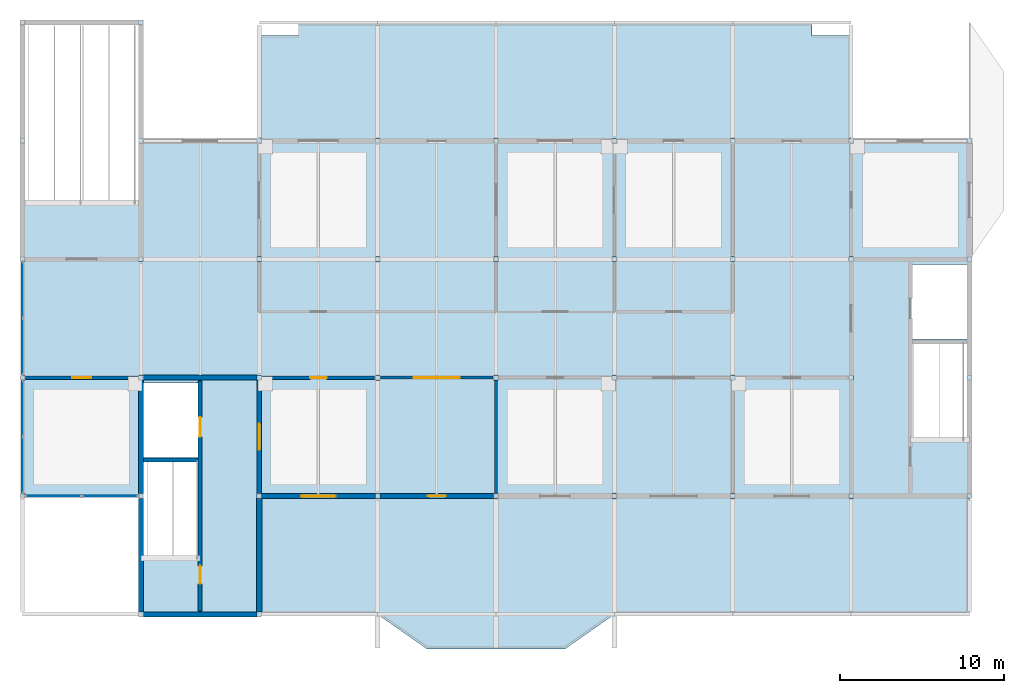
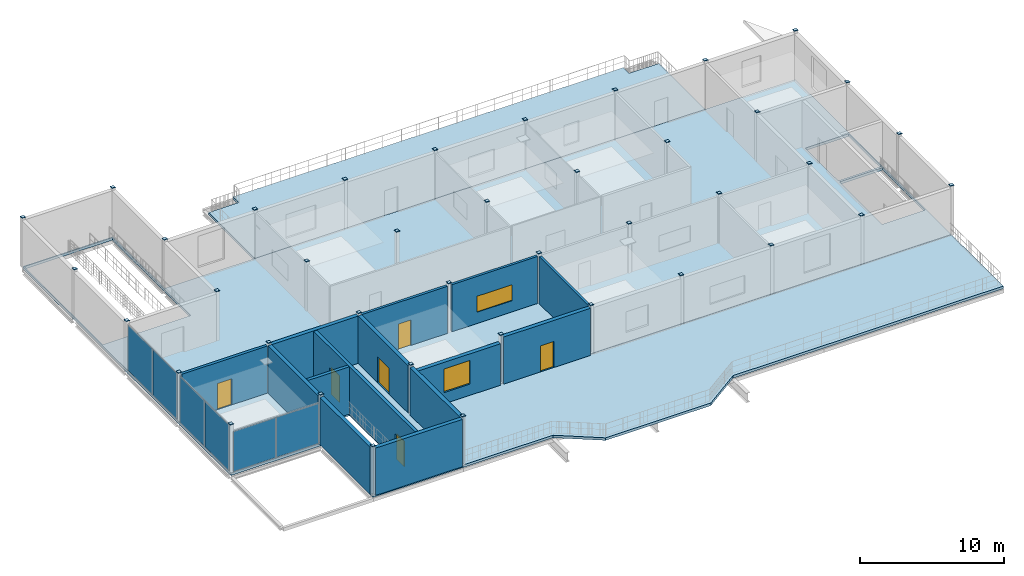
# One storey, part 11 of 18: 46 plates, 14 walls, 6 doors, 3 slabs, 2 windows, 8 openings, 3 elements without a shape of their own.
"""IFC4 building model written with IfcOpenShell, lengths in metres."""

from ifc_helpers import new_model, si_unit, direction, frame, frame_2d, origin, origin_2d, place, context, subcontext, project, spatial, polyline, rectangle, outline, extrude, material, layer, layer_set, type_object, element, fill, aggregate, save


model = new_model("IFC4")

# Units and contexts
model_context = context("Model", 3, precision=1e-05, world=origin(), true_north=direction((0.0, 1.0)))
body_context = subcontext(model_context, "Body", "Model", "MODEL_VIEW")
ifc_project = project(units=[si_unit("LENGTHUNIT", "METRE"), si_unit("AREAUNIT", "SQUARE_METRE"), si_unit("VOLUMEUNIT", "CUBIC_METRE"), si_unit("PLANEANGLEUNIT", "RADIAN"), si_unit("MASSUNIT", "GRAM", prefix="KILO")], contexts=[model_context])

# Site, building, storey
site_placement = place(None, origin())
site = spatial("IfcSite", under=ifc_project, at=site_placement, CompositionType="ELEMENT")
building_placement = place(site_placement, origin())
building = spatial("IfcBuilding", under=site, at=building_placement, Name="Vesperath Aquatics Centre", CompositionType="ELEMENT")
storey_placement = place(building_placement, frame((0.0, 0.0, 23.39990234375)))
storey = spatial("IfcBuildingStorey", under=building, at=storey_placement, Name="L05", CompositionType="ELEMENT", Elevation=23.39990234375)

# Curtain wall, plates
ifc_material_1 = material(Name="Thermally broken anodised bronze aluminium curtain wall", Category="aluminium")
curtain_wall_type = type_object("IfcCurtainWallType", Name="CW-07", PredefinedType="NOTDEFINED", material=ifc_material_1)
curtain_wall_1_placement = place(storey_placement, origin())
curtain_wall_1 = element("IfcCurtainWall", 1, at=curtain_wall_1_placement, inside=storey, type_object=curtain_wall_type, Name="Facade Curtain Wall CW07 L05_S_16_01", PredefinedType="NOTDEFINED")
ifc_material_2 = material(Name="Triple low-E argon insulated vision glass", Category="glass")
ifc_layer_1 = layer(ifc_material_2, 0.035888671875)
ifc_layer_set_1 = layer_set([ifc_layer_1], Name="Triple low-E argon insulated vision glass")
plate_type_1 = type_object("IfcPlateType", Name="PT-CWP06", PredefinedType="CURTAIN_PANEL", material=ifc_layer_set_1)
plate_1_placement = place(storey_placement, frame((117.081298828125, 7.199951171875, 0.065185546875), z_axis=(0.0, 0.0, 1.0), x_axis=(1.0, 0.0, 0.0)))
plate_1 = element("IfcPlate", 2, at=plate_1_placement, type_object=plate_type_1, Name="CW07 panel 1.1", PredefinedType="CURTAIN_PANEL", context=body_context, shape_type="SweptSolid", body=[
    extrude(rectangle(XDim=3.37255859375, YDim=0.035888671875, at=origin_2d()), origin(), (0.0, 0.0, 1.0), 3.375),
])
plate_2_placement = place(storey_placement, frame((120.518798828125, 7.199951171875, 0.065185546875), z_axis=(0.0, 0.0, 1.0), x_axis=(1.0, 0.0, 0.0)))
plate_2 = element("IfcPlate", 3, at=plate_2_placement, type_object=plate_type_1, Name="CW07 panel 2.1", PredefinedType="CURTAIN_PANEL", context=body_context, shape_type="SweptSolid", body=[
    extrude(rectangle(XDim=3.37255859375, YDim=0.035888671875, at=origin_2d()), origin(), (0.0, 0.0, 1.0), 3.375),
])
aggregate(curtain_wall_1, [plate_1, plate_2])

curtain_wall_2_placement = place(storey_placement, origin())
curtain_wall_2 = element("IfcCurtainWall", 4, at=curtain_wall_2_placement, inside=storey, type_object=curtain_wall_type, Name="Facade Curtain Wall CW07 L05_W_16_01", PredefinedType="NOTDEFINED")
plate_3_placement = place(storey_placement, frame((115.199951171875, 9.081298828125, 0.06494140625), z_axis=(0.0, 0.0, 1.0), x_axis=(0.0, 1.0, 0.0)))
plate_3 = element("IfcPlate", 5, at=plate_3_placement, type_object=plate_type_1, Name="CW07 panel 1.1", PredefinedType="CURTAIN_PANEL", context=body_context, shape_type="SweptSolid", body=[
    extrude(rectangle(XDim=3.37255859375, YDim=0.035888671875, at=origin_2d()), origin(), (0.0, 0.0, 1.0), 3.85009765625),
])
plate_4_placement = place(storey_placement, frame((115.199951171875, 12.518798828125, 0.06494140625), z_axis=(0.0, 0.0, 1.0), x_axis=(0.0, 1.0, 0.0)))
plate_4 = element("IfcPlate", 6, at=plate_4_placement, type_object=plate_type_1, Name="CW07 panel 2.1", PredefinedType="CURTAIN_PANEL", context=body_context, shape_type="SweptSolid", body=[
    extrude(rectangle(XDim=3.37255859375, YDim=0.035888671875, at=origin_2d()), origin(), (0.0, 0.0, 1.0), 3.85009765625),
])
aggregate(curtain_wall_2, [plate_3, plate_4])

curtain_wall_3_placement = place(storey_placement, origin())
curtain_wall_3 = element("IfcCurtainWall", 7, at=curtain_wall_3_placement, inside=storey, type_object=curtain_wall_type, Name="Facade Curtain Wall CW07 L05_W_16_02", PredefinedType="NOTDEFINED")
plate_5_placement = place(storey_placement, frame((115.199951171875, 16.28125, 0.06494140625), z_axis=(0.0, 0.0, 1.0), x_axis=(0.0, 1.0, 0.0)))
plate_5 = element("IfcPlate", 8, at=plate_5_placement, type_object=plate_type_1, Name="CW07 panel 1.1", PredefinedType="CURTAIN_PANEL", context=body_context, shape_type="SweptSolid", body=[
    extrude(rectangle(XDim=3.37255859375, YDim=0.035888671875, at=origin_2d()), origin(), (0.0, 0.0, 1.0), 3.85009765625),
])
plate_6_placement = place(storey_placement, frame((115.199951171875, 19.71875, 0.06494140625), z_axis=(0.0, 0.0, 1.0), x_axis=(0.0, 1.0, 0.0)))
plate_6 = element("IfcPlate", 9, at=plate_6_placement, type_object=plate_type_1, Name="CW07 panel 2.1", PredefinedType="CURTAIN_PANEL", context=body_context, shape_type="SweptSolid", body=[
    extrude(rectangle(XDim=3.37255859375, YDim=0.035888671875, at=origin_2d()), origin(), (0.0, 0.0, 1.0), 3.85009765625),
])
aggregate(curtain_wall_3, [plate_5, plate_6])

# Plates
ifc_material_3 = material(Name="Steel Q355D", Category="steel")
ifc_layer_2 = layer(ifc_material_3, 0.01806640625)
ifc_layer_set_2 = layer_set([ifc_layer_2], Name="Steel Q355D")
plate_type_2 = type_object("IfcPlateType", Name="PT-TN03", PredefinedType="SHEET", material=ifc_layer_set_2)
for number, where, z_axis, x_axis, name in (
    (10, (115.199951171875, 7.199951171875, 4.191162109375), (0.0, 0.0, 1.0), (1.0, 0.0, 0.0), "Hollow Column End Cap Plate TN03 L05 17/B"),
    (11, (115.199951171875, 14.39990234375, 4.191162109375), (0.0, 0.0, 1.0), (1.0, 0.0, 0.0), "Hollow Column End Cap Plate TN03 L05 17/C"),
    (12, (115.199951171875, 21.60009765625, 4.191162109375), (0.0, 0.0, 1.0), (1.0, 0.0, 0.0), "Hollow Column End Cap Plate TN03 L05 17/D"),
    (13, (115.199951171875, 28.800048828125, 4.191162109375), (0.0, 0.0, 1.0), (1.0, 0.0, 0.0), "Hollow Column End Cap Plate TN03 L05 17/E"),
    (14, (115.199951171875, 36.0, 4.191162109375), (0.0, 0.0, 1.0), (1.0, 0.0, 0.0), "Hollow Column End Cap Plate TN03 L05 17/F"),
    (15, (122.39990234375, 0.0, 4.191162109375), (0.0, 0.0, 1.0), (1.0, 0.0, 0.0), "Hollow Column End Cap Plate TN03 L05 18/A"),
    (16, (122.39990234375, 7.199951171875, 4.191162109375), (0.0, 0.0, 1.0), (1.0, 0.0, 0.0), "Hollow Column End Cap Plate TN03 L05 18/B"),
    (17, (122.39990234375, 14.39990234375, 4.191162109375), (0.0, 0.0, 1.0), (1.0, 0.0, 0.0), "Hollow Column End Cap Plate TN03 L05 18/C"),
    (18, (122.39990234375, 21.60009765625, 4.191162109375), (0.0, 0.0, 1.0), (1.0, 0.0, 0.0), "Hollow Column End Cap Plate TN03 L05 18/D"),
    (19, (122.39990234375, 28.800048828125, 4.191162109375), (0.0, 0.0, 1.0), (1.0, 0.0, 0.0), "Hollow Column End Cap Plate TN03 L05 18/E"),
    (20, (122.39990234375, 36.0, 4.191162109375), (0.0, 0.0, 1.0), (1.0, 0.0, 0.0), "Hollow Column End Cap Plate TN03 L05 18/F"),
    (21, (129.60009765625, 0.0, 4.191162109375), (0.0, 0.0, 1.0), (1.0, 0.0, 0.0), "Hollow Column End Cap Plate TN03 L05 19/A"),
    (22, (129.60009765625, 7.199951171875, 4.191162109375), (0.0, 0.0, 1.0), (1.0, 0.0, 0.0), "Hollow Column End Cap Plate TN03 L05 19/B"),
    (23, (129.60009765625, 14.39990234375, 4.191162109375), (0.0, 0.0, 1.0), (1.0, 0.0, 0.0), "Hollow Column End Cap Plate TN03 L05 19/C"),
    (24, (129.60009765625, 21.60009765625, 4.191162109375), (0.0, 0.0, 1.0), (1.0, 0.0, 0.0), "Hollow Column End Cap Plate TN03 L05 19/D"),
    (25, (129.60009765625, 28.800048828125, 4.191162109375), (0.0, 0.0, 1.0), (1.0, 0.0, 0.0), "Hollow Column End Cap Plate TN03 L05 19/E"),
    (26, (136.800048828125, 7.199951171875, 4.191162109375), (0.0, 0.0, 1.0), (1.0, 0.0, 0.0), "Hollow Column End Cap Plate TN03 L05 20/B"),
    (27, (136.800048828125, 14.39990234375, 4.191162109375), (0.0, 0.0, 1.0), (1.0, 0.0, 0.0), "Hollow Column End Cap Plate TN03 L05 20/C"),
    (28, (136.800048828125, 21.60009765625, 4.191162109375), (0.0, 0.0, 1.0), (1.0, 0.0, 0.0), "Hollow Column End Cap Plate TN03 L05 20/D"),
    (29, (136.800048828125, 28.800048828125, 4.191162109375), (0.0, 0.0, 1.0), (1.0, 0.0, 0.0), "Hollow Column End Cap Plate TN03 L05 20/E"),
    (30, (144.0, 7.199951171875, 4.191162109375), (0.0, 0.0, 1.0), (1.0, 0.0, 0.0), "Hollow Column End Cap Plate TN03 L05 21/B"),
    (31, (144.0, 14.39990234375, 4.191162109375), (0.0, 0.0, 1.0), (1.0, 0.0, 0.0), "Hollow Column End Cap Plate TN03 L05 21/C"),
    (32, (144.0, 21.60009765625, 4.191162109375), (0.0, 0.0, 1.0), (1.0, 0.0, 0.0), "Hollow Column End Cap Plate TN03 L05 21/D"),
    (33, (144.0, 28.800048828125, 4.191162109375), (0.0, 0.0, 1.0), (1.0, 0.0, 0.0), "Hollow Column End Cap Plate TN03 L05 21/E"),
    (34, (151.199951171875, 7.199951171875, 4.191162109375), (0.0, 0.0, 1.0), (1.0, 0.0, 0.0), "Hollow Column End Cap Plate TN03 L05 22/B"),
    (35, (151.199951171875, 14.39990234375, 4.191162109375), (0.0, 0.0, 1.0), (1.0, 0.0, 0.0), "Hollow Column End Cap Plate TN03 L05 22/C"),
    (36, (151.199951171875, 21.60009765625, 4.191162109375), (0.0, 0.0, 1.0), (1.0, 0.0, 0.0), "Hollow Column End Cap Plate TN03 L05 22/D"),
    (37, (151.199951171875, 28.800048828125, 4.191162109375), (0.0, 0.0, 1.0), (1.0, 0.0, 0.0), "Hollow Column End Cap Plate TN03 L05 22/E"),
    (38, (158.39990234375, 7.199951171875, 4.191162109375), (0.0, 0.0, 1.0), (1.0, 0.0, 0.0), "Hollow Column End Cap Plate TN03 L05 23/B"),
    (39, (158.39990234375, 14.39990234375, 4.191162109375), (0.0, 0.0, 1.0), (1.0, 0.0, 0.0), "Hollow Column End Cap Plate TN03 L05 23/C"),
    (40, (158.39990234375, 21.60009765625, 4.191162109375), (0.0, 0.0, 1.0), (1.0, 0.0, 0.0), "Hollow Column End Cap Plate TN03 L05 23/D"),
    (41, (158.39990234375, 28.800048828125, 4.191162109375), (0.0, 0.0, 1.0), (1.0, 0.0, 0.0), "Hollow Column End Cap Plate TN03 L05 23/E"),
    (42, (165.60009765625, 7.199951171875, 4.191162109375), (0.0, 0.0, 1.0), (1.0, 0.0, 0.0), "Hollow Column End Cap Plate TN03 L05 24/B"),
    (43, (165.60009765625, 14.39990234375, 4.191162109375), (0.0, 0.0, 1.0), (1.0, 0.0, 0.0), "Hollow Column End Cap Plate TN03 L05 24/C"),
    (44, (165.60009765625, 21.60009765625, 4.191162109375), (0.0, 0.0, 1.0), (1.0, 0.0, 0.0), "Hollow Column End Cap Plate TN03 L05 24/D"),
    (45, (165.60009765625, 28.800048828125, 4.191162109375), (0.0, 0.0, 1.0), (1.0, 0.0, 0.0), "Hollow Column End Cap Plate TN03 L05 24/E"),
    (46, (172.800048828125, 7.199951171875, 4.191162109375), (0.0, 0.0, 1.0), (1.0, 0.0, 0.0), "Hollow Column End Cap Plate TN03 L05 25/B"),
    (47, (172.800048828125, 14.39990234375, 4.191162109375), (0.0, 0.0, 1.0), (1.0, 0.0, 0.0), "Hollow Column End Cap Plate TN03 L05 25/C"),
    (48, (172.800048828125, 21.60009765625, 4.191162109375), (0.0, 0.0, 1.0), (1.0, 0.0, 0.0), "Hollow Column End Cap Plate TN03 L05 25/D"),
    (49, (172.800048828125, 28.800048828125, 4.191162109375), (0.0, 0.0, 1.0), (1.0, 0.0, 0.0), "Hollow Column End Cap Plate TN03 L05 25/E"),
):
    element("IfcPlate", number, at=place(storey_placement, frame(where, z_axis=z_axis, x_axis=x_axis)), inside=storey, type_object=plate_type_2, Name=name, PredefinedType="SHEET", context=body_context, shape_type="SweptSolid", body=[
        extrude(rectangle(XDim=0.280029296875, YDim=0.280029296875, at=origin_2d()), origin(), (0.0, 0.0, 1.0), 0.01806640625),
    ])

# Slabs
ifc_material_4 = material(Name="Concrete C35", Category="concrete")
ifc_layer_3 = layer(ifc_material_4, 0.219970703125)
ifc_layer_set_3 = layer_set([ifc_layer_3], Name="Concrete C35")
slab_type_1 = type_object("IfcSlabType", Name="SL-FL04", PredefinedType="FLOOR", material=ifc_layer_set_3)
slab_1_placement = place(storey_placement, frame((0.0, 0.0, -0.219970703125)))
element("IfcSlab", 50, at=slab_1_placement, inside=storey, type_object=slab_type_1, Name="Administration and Doping Control Attic Slab SL04 L05", PredefinedType="FLOOR", context=body_context, shape_type="SweptSolid", body=[
    extrude(outline(polyline([(115.199951171875, 7.199951171875), (122.39990234375, 7.199951171875), (122.39990234375, 0.0), (129.60009765625, 0.0), (129.60009765625, 7.199951171875), (172.800048828125, 7.199951171875), (172.800048828125, 28.800048828125), (122.39990234375, 28.800048828125), (122.39990234375, 36.0), (115.199951171875, 36.0), (115.199951171875, 7.199951171875)]), holes=[polyline([(122.47998046875, 3.449951171875), (125.93994140625, 3.449951171875), (125.93994140625, 9.360107421875), (122.47998046875, 9.360107421875), (122.47998046875, 3.449951171875)]), polyline([(122.47998046875, 9.5400390625), (125.93994140625, 9.5400390625), (125.93994140625, 14.080078125), (122.47998046875, 14.080078125), (122.47998046875, 9.5400390625)]), polyline([(169.260009765625, 10.64990234375), (172.719970703125, 10.64990234375), (172.719970703125, 16.56005859375), (169.260009765625, 16.56005859375), (169.260009765625, 10.64990234375)]), polyline([(169.260009765625, 16.739990234375), (172.719970703125, 16.739990234375), (172.719970703125, 21.280029296875), (169.260009765625, 21.280029296875), (169.260009765625, 16.739990234375)]), polyline([(115.280029296875, 25.050048828125), (122.320068359375, 25.050048828125), (122.320068359375, 35.919921875), (115.280029296875, 35.919921875), (115.280029296875, 25.050048828125)])]), origin(), (0.0, 0.0, 1.0), 0.219970703125),
])
ifc_layer_4 = layer(ifc_material_4, 0.215087890625)
ifc_layer_set_4 = layer_set([ifc_layer_4], Name="Concrete C35")
slab_type_2 = type_object("IfcSlabType", Name="SL-TR01", PredefinedType="FLOOR", material=ifc_layer_set_4)
slab_2_placement = place(storey_placement, frame((0.0, 0.0, -0.21484375)))
element("IfcSlab", 51, at=slab_2_placement, inside=storey, type_object=slab_type_2, Name="South Boulevard Attic Promenade Terrace TR01 L05", PredefinedType="FLOOR", context=body_context, shape_type="SweptSolid", body=[
    extrude(outline(polyline([(129.6201171875, 0.0), (136.800048828125, 0.0), (139.800048828125, -2.10009765625), (148.199951171875, -2.10009765625), (151.199951171875, 0.0), (172.800048828125, 0.0), (172.800048828125, 7.179931640625), (129.6201171875, 7.179931640625), (129.6201171875, 0.0)])), origin(), (0.0, 0.0, 1.0), 0.21484375),
])
slab_3_placement = place(storey_placement, frame((0.0, 0.0, -0.21484375)))
element("IfcSlab", 52, at=slab_3_placement, inside=storey, type_object=slab_type_2, Name="Officials Viewing Terrace TR01 L05", PredefinedType="FLOOR", context=body_context, shape_type="SweptSolid", body=[
    extrude(outline(polyline([(129.60009765625, 28.800048828125), (165.60009765625, 28.800048828125), (165.60009765625, 35.199951171875), (163.199951171875, 35.199951171875), (163.199951171875, 36.0), (132.0, 36.0), (132.0, 35.199951171875), (129.60009765625, 35.199951171875), (129.60009765625, 28.800048828125)])), origin(), (0.0, 0.0, 1.0), 0.21484375),
])

# Wall, opening, window
ifc_material_5 = material(Name="Terrace pavilion insulated masonry wall", Category="masonry")
ifc_layer_5 = layer(ifc_material_5, 0.31005859375)
ifc_layer_set_5 = layer_set([ifc_layer_5], Name="Terrace pavilion insulated masonry wall")
wall_type_1 = type_object("IfcWallType", Name="WL-EW05", PredefinedType="SOLIDWALL", material=ifc_layer_set_5)
wall_1_placement = place(storey_placement, frame((129.72998046875, 7.199951171875, 0.0), z_axis=(0.0, 0.0, 1.0), x_axis=(1.0, 0.0, 0.0)))
wall_1 = element("IfcWall", 53, at=wall_1_placement, inside=storey, type_object=wall_type_1, Name="Exterior Wall EW05 L05_S_18_01", PredefinedType="SOLIDWALL", context=body_context, shape_type="SweptSolid", body=[
    extrude(rectangle(XDim=6.93994140625, YDim=0.31005859375, at=frame_2d((3.469970703125, 0.0))), origin(), (0.0, 0.0, 1.0), 3.505126953125),
])
opening_1_placement = place(wall_1_placement, frame((2.419921875, 0.0, 0.949951171875)))
opening_1 = element("IfcOpeningElement", 54, at=opening_1_placement, cuts=wall_1, Name="Opening W06", PredefinedType="OPENING", context=body_context, shape_type="SweptSolid", body=[
    extrude(rectangle(XDim=2.10009765625, YDim=2.0, at=frame_2d((1.050048828125, 1.0))), frame((0.0, 0.169921875, 0.0), z_axis=(0.0, -1.0, 0.0), x_axis=(1.0, 0.0, 0.0)), (0.0, 0.0, 1.0), 0.33984375),
])
ifc_material_6 = material(Name="Thermally broken aluminium triple-glazed window", Category="aluminium")
window_type_1 = type_object("IfcWindowType", Name="WN-W06", PartitioningType="SINGLE_PANEL", PredefinedType="WINDOW", material=ifc_material_6)
window_1_placement = place(opening_1_placement, origin())
window_1 = element("IfcWindow", 55, at=window_1_placement, inside=storey, type_object=window_type_1, Name="Deep-Reveal Casement Window W06 L05_S_18_01", OverallHeight=2.0, OverallWidth=2.10009765625, PartitioningType="SINGLE_PANEL", PredefinedType="WINDOW", context=body_context, shape_type="SweptSolid", body=[
    extrude(rectangle(XDim=2.10009765625, YDim=2.0, at=frame_2d((1.050048828125, 1.0))), frame((0.0, 0.030029296875, 0.0), z_axis=(0.0, -1.0, 0.0), x_axis=(1.0, 0.0, 0.0)), (0.0, 0.0, 1.0), 0.06005859375),
])
fill(opening_1, window_1)

# Wall, opening, door
wall_2_placement = place(storey_placement, frame((136.929931640625, 7.199951171875, 0.0), z_axis=(0.0, 0.0, 1.0), x_axis=(1.0, 0.0, 0.0)))
wall_2 = element("IfcWall", 56, at=wall_2_placement, inside=storey, type_object=wall_type_1, Name="Exterior Wall EW05 L05_S_19_01", PredefinedType="SOLIDWALL", context=body_context, shape_type="SweptSolid", body=[
    extrude(rectangle(XDim=6.940185546875, YDim=0.31005859375, at=frame_2d((3.47021484375, 0.0))), origin(), (0.0, 0.0, 1.0), 3.97998046875),
])
opening_2_placement = place(wall_2_placement, frame((2.919921875, 0.0, 0.0)))
opening_2 = element("IfcOpeningElement", 57, at=opening_2_placement, cuts=wall_2, Name="Opening TRD2", PredefinedType="OPENING", context=body_context, shape_type="SweptSolid", body=[
    extrude(rectangle(XDim=1.10009765625, YDim=2.199951171875, at=frame_2d((0.550048828125, 1.10009765625))), frame((0.0, 0.169921875, 0.0), z_axis=(0.0, -1.0, 0.0), x_axis=(1.0, 0.0, 0.0)), (0.0, 0.0, 1.0), 0.33984375),
])
ifc_material_7 = material(Name="Thermally broken bronze-anodised glazed aluminium door", Category="aluminium")
door_type_1 = type_object("IfcDoorType", Name="DR-TR02", OperationType="NOTDEFINED", PredefinedType="DOOR", material=ifc_material_7)
door_1_placement = place(opening_2_placement, frame((1.10009765625, 0.0, 0.0), z_axis=(0.0, 0.0, 1.0), x_axis=(-1.0, 0.0, 0.0)))
door_1 = element("IfcDoor", 58, at=door_1_placement, inside=storey, type_object=door_type_1, Name="Roof Terrace Access Door TRD2 L05_S_19_01", OperationType="SINGLE_SWING_RIGHT", OverallHeight=2.199951171875, OverallWidth=1.10009765625, PredefinedType="DOOR", context=body_context, shape_type="SweptSolid", body=[
    extrude(rectangle(XDim=1.10009765625, YDim=2.199951171875, at=frame_2d((0.550048828125, 1.10009765625))), frame((0.0, 0.02490234375, 0.0), z_axis=(0.0, -1.0, 0.0), x_axis=(1.0, 0.0, 0.0)), (0.0, 0.0, 1.0), 0.050048828125),
])
fill(opening_2, door_1)

ifc_material_8 = material(Name="Masonry fire compartment wall", Category="masonry")
ifc_layer_6 = layer(ifc_material_8, 0.219970703125)
ifc_layer_set_6 = layer_set([ifc_layer_6], Name="Masonry fire compartment wall")
wall_type_2 = type_object("IfcWallType", Name="WL-FW02", PredefinedType="SOLIDWALL", material=ifc_layer_set_6)
wall_3_placement = place(storey_placement, frame((115.3798828125, 14.39990234375, 0.0), z_axis=(0.0, 0.0, 1.0), x_axis=(1.0, 0.0, 0.0)))
wall_3 = element("IfcWall", 59, at=wall_3_placement, inside=storey, type_object=wall_type_2, Name="Interior Partition FW02 L05_ADMIN-N1", PredefinedType="SOLIDWALL", context=body_context, shape_type="SweptSolid", body=[
    extrude(rectangle(XDim=6.840087890625, YDim=0.219970703125, at=frame_2d((3.419921875, 0.0))), origin(), (0.0, 0.0, 1.0), 3.97998046875),
])
opening_3_placement = place(wall_3_placement, frame((2.840087890625, 0.0, 0.0)))
opening_3 = element("IfcOpeningElement", 60, at=opening_3_placement, cuts=wall_3, Name="Opening D26", PredefinedType="OPENING", context=body_context, shape_type="SweptSolid", body=[
    extrude(rectangle(XDim=1.159912109375, YDim=2.199951171875, at=frame_2d((0.580078125, 1.10009765625))), frame((0.0, 0.125, 0.0), z_axis=(0.0, -1.0, 0.0), x_axis=(1.0, 0.0, 0.0)), (0.0, 0.0, 1.0), 0.249755859375),
])
ifc_material_9 = material(Name="Biomechanics laboratory sealed door", Category="steel")
door_type_2 = type_object("IfcDoorType", Name="DR-RM18", OperationType="NOTDEFINED", PredefinedType="DOOR", material=ifc_material_9)
door_2_placement = place(opening_3_placement, frame((1.159912109375, 0.0, 0.0), z_axis=(0.0, 0.0, 1.0), x_axis=(-1.0, 0.0, 0.0)))
door_2 = element("IfcDoor", 61, at=door_2_placement, inside=storey, type_object=door_type_2, Name="Venue Management and Aquatics Federation Office Door D26", OperationType="SINGLE_SWING_RIGHT", OverallHeight=2.199951171875, OverallWidth=1.159912109375, PredefinedType="DOOR", context=body_context, shape_type="SweptSolid", body=[
    extrude(rectangle(XDim=1.159912109375, YDim=2.199951171875, at=frame_2d((0.580078125, 1.10009765625))), frame((0.0, 0.02490234375, 0.0), z_axis=(0.0, -1.0, 0.0), x_axis=(1.0, 0.0, 0.0)), (0.0, 0.0, 1.0), 0.050048828125),
])
fill(opening_3, door_2)

ifc_material_10 = material(Name="Wet-village masonry block wall", Category="masonry")
ifc_layer_7 = layer(ifc_material_10, 0.199951171875)
ifc_layer_set_7 = layer_set([ifc_layer_7], Name="Wet-village masonry block wall")
wall_type_3 = type_object("IfcWallType", Name="WL-FW03", PredefinedType="SOLIDWALL", material=ifc_layer_set_7)
wall_4_placement = place(storey_placement, frame((129.780029296875, 14.39990234375, 0.0), z_axis=(0.0, 0.0, 1.0), x_axis=(1.0, 0.0, 0.0)))
wall_4 = element("IfcWall", 62, at=wall_4_placement, inside=storey, type_object=wall_type_3, Name="Interior Partition FW03 L05_EVENT_OPS-N1", PredefinedType="SOLIDWALL", context=body_context, shape_type="SweptSolid", body=[
    extrude(rectangle(XDim=6.840087890625, YDim=0.199951171875, at=frame_2d((3.419921875, 0.0))), origin(), (0.0, 0.0, 1.0), 3.97998046875),
])
opening_4_placement = place(wall_4_placement, frame((2.929931640625, 0.0, 0.0)))
opening_4 = element("IfcOpeningElement", 63, at=opening_4_placement, cuts=wall_4, Name="Opening D27", PredefinedType="OPENING", context=body_context, shape_type="SweptSolid", body=[
    extrude(rectangle(XDim=0.97998046875, YDim=2.14990234375, at=frame_2d((0.489990234375, 1.074951171875))), frame((0.0, 0.11474609375, 0.0), z_axis=(0.0, -1.0, 0.0), x_axis=(1.0, 0.0, 0.0)), (0.0, 0.0, 1.0), 0.229736328125),
])
ifc_material_11 = material(Name="Thermal spa cedar-lined glazed door", Category="aluminium")
door_type_3 = type_object("IfcDoorType", Name="DR-RM19", OperationType="NOTDEFINED", PredefinedType="DOOR", material=ifc_material_11)
door_3_placement = place(opening_4_placement, frame((0.97998046875, 0.0, 0.0), z_axis=(0.0, 0.0, 1.0), x_axis=(-1.0, 0.0, 0.0)))
door_3 = element("IfcDoor", 64, at=door_3_placement, inside=storey, type_object=door_type_3, Name="Competition Event Operations Control Room Door D27", OperationType="SINGLE_SWING_LEFT", OverallHeight=2.14990234375, OverallWidth=0.97998046875, PredefinedType="DOOR", context=body_context, shape_type="SweptSolid", body=[
    extrude(rectangle(XDim=0.97998046875, YDim=2.14990234375, at=frame_2d((0.489990234375, 1.074951171875))), frame((0.0, 0.02490234375, 0.0), z_axis=(0.0, -1.0, 0.0), x_axis=(1.0, 0.0, 0.0)), (0.0, 0.0, 1.0), 0.050048828125),
])
fill(opening_4, door_3)

# Wall, opening, window
ifc_material_12 = material(Name="Plant acoustic masonry wall", Category="masonry")
ifc_layer_8 = layer(ifc_material_12, 0.18994140625)
ifc_layer_set_8 = layer_set([ifc_layer_8], Name="Plant acoustic masonry wall")
wall_type_4 = type_object("IfcWallType", Name="WL-FW04", PredefinedType="SOLIDWALL", material=ifc_layer_set_8)
wall_5_placement = place(storey_placement, frame((136.97998046875, 14.39990234375, 0.0), z_axis=(0.0, 0.0, 1.0), x_axis=(1.0, 0.0, 0.0)))
wall_5 = element("IfcWall", 65, at=wall_5_placement, inside=storey, type_object=wall_type_4, Name="Interior Partition FW04 L05_EVENT_OPS-N2", PredefinedType="SOLIDWALL", context=body_context, shape_type="SweptSolid", body=[
    extrude(rectangle(XDim=6.840087890625, YDim=0.18994140625, at=frame_2d((3.419921875, 0.0))), origin(), (0.0, 0.0, 1.0), 3.97998046875),
])
opening_5_placement = place(wall_5_placement, frame((2.02001953125, 0.0, 0.949951171875)))
opening_5 = element("IfcOpeningElement", 66, at=opening_5_placement, cuts=wall_5, Name="Opening VW05", PredefinedType="OPENING", context=body_context, shape_type="SweptSolid", body=[
    extrude(rectangle(XDim=2.800048828125, YDim=1.35009765625, at=frame_2d((1.39990234375, 0.675048828125))), frame((0.0, 0.10986328125, 0.0), z_axis=(0.0, -1.0, 0.0), x_axis=(1.0, 0.0, 0.0)), (0.0, 0.0, 1.0), 0.2197265625),
])
ifc_material_13 = material(Name="Acoustic laminated interior viewing glazing", Category="glass")
window_type_2 = type_object("IfcWindowType", Name="WN-IW05", PartitioningType="SINGLE_PANEL", PredefinedType="WINDOW", material=ifc_material_13)
window_2_placement = place(opening_5_placement, origin())
window_2 = element("IfcWindow", 67, at=window_2_placement, inside=storey, type_object=window_type_2, Name="Interior Viewing Window VW05 L05_EVENT_OPS", OverallHeight=1.35009765625, OverallWidth=2.800048828125, PartitioningType="SINGLE_PANEL", PredefinedType="WINDOW", context=body_context, shape_type="SweptSolid", body=[
    extrude(rectangle(XDim=2.800048828125, YDim=1.35009765625, at=frame_2d((1.39990234375, 0.675048828125))), frame((0.0, 0.030029296875, 0.0), z_axis=(0.0, -1.0, 0.0), x_axis=(1.0, 0.0, 0.0)), (0.0, 0.0, 1.0), 0.06005859375),
])
fill(opening_5, window_2)

# Walls
ifc_material_14 = material(Name="Double-stud acoustic studio partition", Category="gypsum")
ifc_layer_9 = layer(ifc_material_14, 0.18505859375)
ifc_layer_set_9 = layer_set([ifc_layer_9], Name="Double-stud acoustic studio partition")
wall_type_5 = type_object("IfcWallType", Name="WL-IW01", PredefinedType="PARTITIONING", material=ifc_layer_set_9)
wall_6_placement = place(storey_placement, frame((144.0, 7.3798828125, 0.0), z_axis=(0.0, 0.0, 1.0), x_axis=(0.0, 1.0, 0.0)))
element("IfcWall", 68, at=wall_6_placement, inside=storey, type_object=wall_type_5, Name="Interior Partition IW01 L05_EVENT_OPS-E1", PredefinedType="PARTITIONING", context=body_context, shape_type="SweptSolid", body=[
    extrude(rectangle(XDim=6.840087890625, YDim=0.18505859375, at=frame_2d((3.419921875, 0.0))), origin(), (0.0, 0.0, 1.0), 3.97998046875),
])
ifc_material_15 = material(Name="Concrete C40", Category="concrete")
ifc_layer_10 = layer(ifc_material_15, 0.300048828125)
ifc_layer_set_10 = layer_set([ifc_layer_10], Name="Concrete C40")
wall_type_6 = type_object("IfcWallType", Name="WL-SW01", PredefinedType="SHEAR", material=ifc_layer_set_10)
for number, where, z_axis, x_axis, name in (
    (69, (122.530029296875, 14.39990234375, 0.0), (0.0, 0.0, 1.0), (1.0, 0.0, 0.0), "Core C5 North Shear Wall SW01 L05"),
    (70, (122.39990234375, 7.330078125, 0.0), (0.0, 0.0, 1.0), (0.0, 1.0, 0.0), "Core C5 West-2 Shear Wall SW01 L05"),
):
    element("IfcWall", number, at=place(storey_placement, frame(where, z_axis=z_axis, x_axis=x_axis)), inside=storey, type_object=wall_type_6, Name=name, PredefinedType="SHEAR", context=body_context, shape_type="SweptSolid", body=[
        extrude(rectangle(XDim=6.93994140625, YDim=0.300048828125, at=frame_2d((3.469970703125, 0.0))), origin(), (0.0, 0.0, 1.0), 4.0),
    ])

# Wall, opening, door
wall_7_placement = place(storey_placement, frame((129.60009765625, 7.330078125, 0.0), z_axis=(0.0, 0.0, 1.0), x_axis=(0.0, 1.0, 0.0)))
wall_7 = element("IfcWall", 71, at=wall_7_placement, inside=storey, type_object=wall_type_6, Name="Core C5 East-2 Shear Wall SW01 L05", PredefinedType="SHEAR", context=body_context, shape_type="SweptSolid", body=[
    extrude(rectangle(XDim=6.93994140625, YDim=0.300048828125, at=frame_2d((3.469970703125, 0.0))), origin(), (0.0, 0.0, 1.0), 4.0),
])
opening_6_placement = place(wall_7_placement, frame((2.669921875, 0.0, 0.0)))
opening_6 = element("IfcOpeningElement", 72, at=opening_6_placement, cuts=wall_7, Name="Opening D02", PredefinedType="OPENING", context=body_context, shape_type="SweptSolid", body=[
    extrude(rectangle(XDim=1.60009765625, YDim=2.199951171875, at=frame_2d((0.800048828125, 1.10009765625))), frame((0.0, 0.1650390625, 0.0), z_axis=(0.0, -1.0, 0.0), x_axis=(1.0, 0.0, 0.0)), (0.0, 0.0, 1.0), 0.329833984375),
])
ifc_material_16 = material(Name="Glazed fire-rated lobby double door", Category="steel")
door_type_4 = type_object("IfcDoorType", Name="DR-FD02", OperationType="DOUBLE_SWING_LEFT", PredefinedType="DOOR", material=ifc_material_16)
door_4_placement = place(opening_6_placement, frame((1.60009765625, 0.0, 0.0), z_axis=(0.0, 0.0, 1.0), x_axis=(-1.0, 0.0, 0.0)))
door_4 = element("IfcDoor", 73, at=door_4_placement, inside=storey, type_object=door_type_4, Name="Core C5 Lobby Fire Door D02 L05", OperationType="DOUBLE_SWING_LEFT", OverallHeight=2.199951171875, OverallWidth=1.60009765625, PredefinedType="DOOR", context=body_context, shape_type="SweptSolid", body=[
    extrude(rectangle(XDim=1.60009765625, YDim=2.199951171875, at=frame_2d((0.800048828125, 1.10009765625))), frame((0.0, 0.02490234375, 0.0), z_axis=(0.0, -1.0, 0.0), x_axis=(1.0, 0.0, 0.0)), (0.0, 0.0, 1.0), 0.050048828125),
])
fill(opening_6, door_4)

# Wall, openings, doors
ifc_layer_11 = layer(ifc_material_15, 0.260009765625)
ifc_layer_set_11 = layer_set([ifc_layer_11], Name="Concrete C40")
wall_type_7 = type_object("IfcWallType", Name="WL-SW03", PredefinedType="SHEAR", material=ifc_layer_set_11)
wall_8_placement = place(storey_placement, frame((126.0, 0.199951171875, 0.0), z_axis=(0.0, 0.0, 1.0), x_axis=(0.0, 1.0, 0.0)))
wall_8 = element("IfcWall", 74, at=wall_8_placement, inside=storey, type_object=wall_type_7, Name="Core C5 Spine Shear Wall SW03 L05", PredefinedType="SHEAR", context=body_context, shape_type="SweptSolid", body=[
    extrude(rectangle(XDim=14.0, YDim=0.260009765625, at=frame_2d((7.0, 0.0))), origin(), (0.0, 0.0, 1.0), 4.0),
])
opening_7_placement = place(wall_8_placement, frame((1.64990234375, 0.0, 0.0)))
opening_7 = element("IfcOpeningElement", 75, at=opening_7_placement, cuts=wall_8, Name="Opening D01", PredefinedType="OPENING", context=body_context, shape_type="SweptSolid", body=[
    extrude(rectangle(XDim=1.10009765625, YDim=2.14990234375, at=frame_2d((0.550048828125, 1.074951171875))), frame((0.0, 0.14501953125, 0.0), z_axis=(0.0, -1.0, 0.0), x_axis=(1.0, 0.0, 0.0)), (0.0, 0.0, 1.0), 0.289794921875),
])
opening_8_placement = place(wall_8_placement, frame((10.60009765625, 0.0, 0.0)))
opening_8 = element("IfcOpeningElement", 76, at=opening_8_placement, cuts=wall_8, Name="Opening LD03", PredefinedType="OPENING", context=body_context, shape_type="SweptSolid", body=[
    extrude(rectangle(XDim=1.199951171875, YDim=2.25, at=frame_2d((0.60009765625, 1.125))), frame((0.0, 0.14501953125, 0.0), z_axis=(0.0, -1.0, 0.0), x_axis=(1.0, 0.0, 0.0)), (0.0, 0.0, 1.0), 0.289794921875),
])
ifc_material_17 = material(Name="Steel-faced acoustic fire door", Category="steel")
door_type_5 = type_object("IfcDoorType", Name="DR-FD01", OperationType="NOTDEFINED", PredefinedType="DOOR", material=ifc_material_17)
door_5_placement = place(opening_7_placement, origin())
door_5 = element("IfcDoor", 77, at=door_5_placement, inside=storey, type_object=door_type_5, Name="Stair ST5 Fire Door D01 L05", OperationType="SINGLE_SWING_RIGHT", OverallHeight=2.14990234375, OverallWidth=1.10009765625, PredefinedType="DOOR", context=body_context, shape_type="SweptSolid", body=[
    extrude(rectangle(XDim=1.10009765625, YDim=2.14990234375, at=frame_2d((0.550048828125, 1.074951171875))), frame((0.0, 0.02490234375, 0.0), z_axis=(0.0, -1.0, 0.0), x_axis=(1.0, 0.0, 0.0)), (0.0, 0.0, 1.0), 0.050048828125),
])
fill(opening_7, door_5)
ifc_material_18 = material(Name="Firefighting stainless lift landing door", Category="steel")
door_type_6 = type_object("IfcDoorType", Name="DR-LD03", OperationType="SLIDING_TO_LEFT", PredefinedType="DOOR", material=ifc_material_18)
door_6_placement = place(opening_8_placement, frame((1.199951171875, 0.0, 0.0), z_axis=(0.0, 0.0, 1.0), x_axis=(-1.0, 0.0, 0.0)))
door_6 = element("IfcDoor", 78, at=door_6_placement, inside=storey, type_object=door_type_6, Name="Lift LFT-FF1 Sliding Landing Door LD03 L05", OperationType="SLIDING_TO_LEFT", OverallHeight=2.25, OverallWidth=1.199951171875, PredefinedType="DOOR", context=body_context, shape_type="SweptSolid", body=[
    extrude(rectangle(XDim=1.199951171875, YDim=2.25, at=frame_2d((0.60009765625, 1.125))), frame((0.0, 0.02490234375, 0.0), z_axis=(0.0, -1.0, 0.0), x_axis=(1.0, 0.0, 0.0)), (0.0, 0.0, 1.0), 0.050048828125),
])
fill(opening_8, door_6)

# Walls
ifc_layer_12 = layer(ifc_material_15, 0.25)
ifc_layer_set_12 = layer_set([ifc_layer_12], Name="Concrete C40")
wall_type_8 = type_object("IfcWallType", Name="WL-SW04", PredefinedType="SHEAR", material=ifc_layer_set_12)
wall_9_placement = place(storey_placement, frame((122.56005859375, 9.3798828125, 0.0), z_axis=(0.0, 0.0, 1.0), x_axis=(1.0, 0.0, 0.0)))
element("IfcWall", 79, at=wall_9_placement, inside=storey, type_object=wall_type_8, Name="Core C5 Lift Shaft Wall SW04 L05", PredefinedType="SHEAR", context=body_context, shape_type="SweptSolid", body=[
    extrude(rectangle(XDim=3.300048828125, YDim=0.25, at=frame_2d((1.64990234375, 0.0))), origin(), (0.0, 0.0, 1.0), 4.0),
])
ifc_layer_13 = layer(ifc_material_15, 0.31005859375)
ifc_layer_set_13 = layer_set([ifc_layer_13], Name="Concrete C40")
wall_type_9 = type_object("IfcWallType", Name="WL-SW05", PredefinedType="SHEAR", material=ifc_layer_set_13)
wall_10_placement = place(storey_placement, frame((122.530029296875, 0.0, 0.0), z_axis=(0.0, 0.0, 1.0), x_axis=(1.0, 0.0, 0.0)))
element("IfcWall", 80, at=wall_10_placement, inside=storey, type_object=wall_type_9, Name="Core C5 South Shear Wall SW05 L05", PredefinedType="SHEAR", context=body_context, shape_type="SweptSolid", body=[
    extrude(rectangle(XDim=6.93994140625, YDim=0.31005859375, at=frame_2d((3.469970703125, 0.0))), origin(), (0.0, 0.0, 1.0), 4.0),
])
for number, where, z_axis, x_axis, name in (
    (81, (122.39990234375, 0.1298828125, 0.0), (0.0, 0.0, 1.0), (0.0, 1.0, 0.0), "Core C5 West-1 Shear Wall SW05 L05"),
    (82, (129.60009765625, 0.1298828125, 0.0), (0.0, 0.0, 1.0), (0.0, 1.0, 0.0), "Core C5 East-1 Shear Wall SW05 L05"),
):
    element("IfcWall", number, at=place(storey_placement, frame(where, z_axis=z_axis, x_axis=x_axis)), inside=storey, type_object=wall_type_9, Name=name, PredefinedType="SHEAR", context=body_context, shape_type="SweptSolid", body=[
        extrude(rectangle(XDim=6.940185546875, YDim=0.31005859375, at=frame_2d((3.47021484375, 0.0))), origin(), (0.0, 0.0, 1.0), 4.0),
    ])

save(model, "model.ifc")
